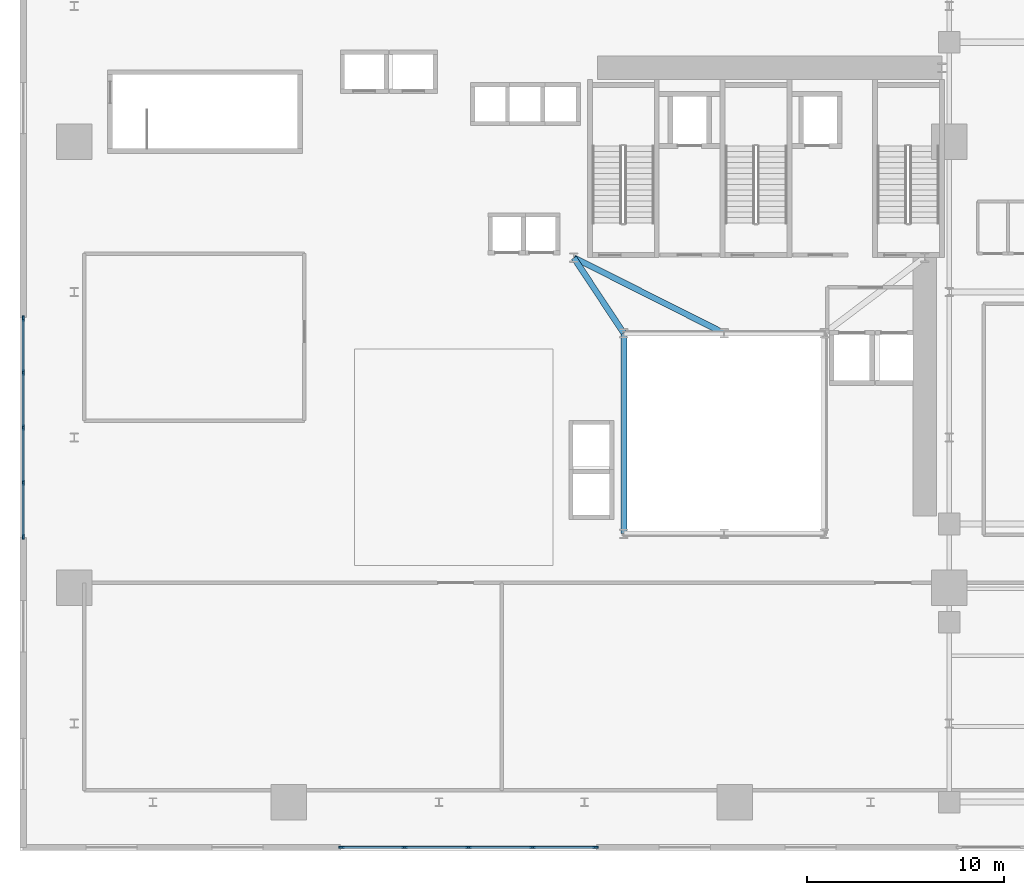
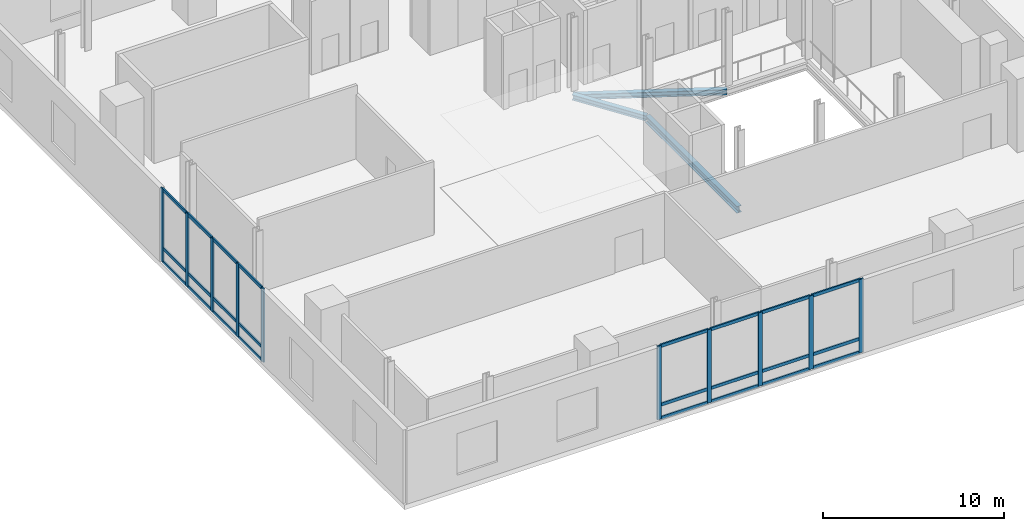
# One storey, part 3 of 13: 34 members, 3 beams, 2 elements without a shape of their own.
"""IFC4 building model written with IfcOpenShell, lengths in metres."""

from ifc_helpers import new_model, si_unit, direction, frame, origin, origin_2d, place, context, subcontext, project, spatial, rectangle, i_section, extrude, source, transform, mapped, material, material_profile, profile_set, type_object, element, aggregate, save


model = new_model("IFC4")

# Units and contexts
model_context = context("Model", 3, precision=1e-05, world=origin(), true_north=direction((0.0, 1.0)))
body_context = subcontext(model_context, "Body", "Model", "MODEL_VIEW")
ifc_project = project(units=[si_unit("LENGTHUNIT", "METRE"), si_unit("AREAUNIT", "SQUARE_METRE"), si_unit("VOLUMEUNIT", "CUBIC_METRE"), si_unit("PLANEANGLEUNIT", "RADIAN"), si_unit("MASSUNIT", "GRAM", prefix="KILO")], contexts=[model_context])

# Site, building, storey
site_placement = place(None, origin())
site = spatial("IfcSite", under=ifc_project, at=site_placement, CompositionType="ELEMENT")
building_placement = place(site_placement, origin())
building = spatial("IfcBuilding", under=site, at=building_placement, Name="Vardaveli Station Tower", CompositionType="ELEMENT")
storey_placement = place(building_placement, frame((0.0, 0.0, 22.39990234375)))
storey = spatial("IfcBuildingStorey", under=building, at=storey_placement, Name="L05", CompositionType="ELEMENT", Elevation=22.39990234375)

# Beams
ifc_material_1 = material(Name="Structural steel S355J2", Category="steel")
ifc_material_profile_1 = material_profile(ifc_material_1, i_section(OverallWidth=0.300048828125, OverallDepth=0.449951171875, WebThickness=0.013916015625, FlangeThickness=0.02587890625, FilletRadius=0.027099609375, at=origin_2d()), Name="HEB 450")
ifc_profile_set_1 = profile_set([ifc_material_profile_1], Name="Structural steel S355J2")
beam_type_1 = type_object("IfcBeamType", Name="BM-HEB450", PredefinedType="BEAM", material=ifc_profile_set_1)
shared_shape_1 = source(origin(), body_context, "Body", "SweptSolid", [
    extrude(i_section(OverallWidth=0.300048828125, OverallDepth=0.449951171875, WebThickness=0.013916015625, FlangeThickness=0.02587890625, FilletRadius=0.027099609375, at=origin_2d()), origin(), (0.0, 0.0, 1.0), 10.159912109375),
])
beam_1_placement = place(storey_placement, frame((31.199951171875, 26.780029296875, -0.544921875), z_axis=(0.0, -1.0, 0.0), x_axis=(1.0, 0.0, 0.0)))
element("IfcBeam", 1, at=beam_1_placement, inside=storey, type_object=beam_type_1, Name="ABM-L05-06", PredefinedType="BEAM", context=body_context, shape_type="MappedRepresentation", body=[
    mapped(shared_shape_1, transform((0.0, 0.0, 0.0), scale=1.0)),
])
ifc_material_profile_2 = material_profile(ifc_material_1, i_section(OverallWidth=0.300048828125, OverallDepth=0.360107421875, WebThickness=0.012451171875, FlangeThickness=0.0224609375, FilletRadius=0.027099609375, at=origin_2d()), Name="HEB 360")
ifc_profile_set_2 = profile_set([ifc_material_profile_2], Name="Structural steel S355J2")
beam_type_2 = type_object("IfcBeamType", Name="BM-HEB360", PredefinedType="BEAM", material=ifc_profile_set_2)
shared_shape_2 = source(origin(), body_context, "Body", "SweptSolid", [
    extrude(i_section(OverallWidth=0.300048828125, OverallDepth=0.360107421875, WebThickness=0.012451171875, FlangeThickness=0.0224609375, FilletRadius=0.027099609375, at=origin_2d()), origin(), (0.0, 0.0, 1.0), 4.577880859375),
])
beam_2_placement = place(storey_placement, frame((31.18896484375, 26.816650390625, -0.5), z_axis=(-0.55218702139, 0.833720272879, 0.0), x_axis=(-0.833720272879, -0.55218702139, 0.0)))
element("IfcBeam", 2, at=beam_2_placement, inside=storey, type_object=beam_type_2, Name="CBM-L05-01", PredefinedType="BEAM", context=body_context, shape_type="MappedRepresentation", body=[
    mapped(shared_shape_2, transform((0.0, 0.0, 0.0), scale=1.0)),
])
shared_shape_3 = source(origin(), body_context, "Body", "SweptSolid", [
    extrude(i_section(OverallWidth=0.300048828125, OverallDepth=0.360107421875, WebThickness=0.012451171875, FlangeThickness=0.0224609375, FilletRadius=0.027099609375, at=origin_2d()), origin(), (0.0, 0.0, 1.0), 8.524169921875),
])
beam_3_placement = place(storey_placement, frame((28.66796875, 30.64111328125, -0.5), z_axis=(0.893255584708, -0.449549174605, 0.0), x_axis=(0.449549174605, 0.893255584708, 0.0)))
element("IfcBeam", 3, at=beam_3_placement, inside=storey, type_object=beam_type_2, Name="CBM-L05-03", PredefinedType="BEAM", context=body_context, shape_type="MappedRepresentation", body=[
    mapped(shared_shape_3, transform((0.0, 0.0, 0.0), scale=1.0)),
])

# Curtain wall, members
ifc_material_2 = material(Name="Travertine stone and solar-control glass", Category="masonry")
curtain_wall_type = type_object("IfcCurtainWallType", Name="CW-SYS-1", PredefinedType="NOTDEFINED", material=ifc_material_2)
curtain_wall_1_placement = place(storey_placement, origin())
curtain_wall_1 = element("IfcCurtainWall", 4, at=curtain_wall_1_placement, inside=storey, type_object=curtain_wall_type, Name="CW-L05-S2", PredefinedType="NOTDEFINED")
ifc_material_3 = material(Name="Anodised aluminium alloy 6063-T6", Category="aluminium")
ifc_material_profile_3 = material_profile(ifc_material_3, rectangle(XDim=0.094970703125, YDim=0.2099609375, at=origin_2d()), Name="CWT 95x210")
ifc_profile_set_3 = profile_set([ifc_material_profile_3], Name="Anodised aluminium alloy 6063-T6")
member_type_1 = type_object("IfcMemberType", Name="CW-SYS-1-TRAN", PredefinedType="NOTDEFINED", material=ifc_profile_set_3)
shared_shape_4 = source(origin(), body_context, "Body", "SweptSolid", [
    extrude(rectangle(XDim=0.094970703125, YDim=0.2099609375, at=origin_2d()), origin(), (0.0, 0.0, 1.0), 3.107421875),
])
member_1_placement = place(storey_placement, frame((16.89501953125, 0.64990234375, 0.047607421875), z_axis=(1.0, 0.0, 0.0), x_axis=(0.0, 1.0, 0.0)))
member_1 = element("IfcMember", 5, at=member_1_placement, type_object=member_type_1, Name="CW-1 transom 1.1", ObjectType="TRANSOM", PredefinedType="USERDEFINED", context=body_context, shape_type="MappedRepresentation", body=[
    mapped(shared_shape_4, transform((0.0, 0.0, 0.0), scale=1.0)),
])
member_2_placement = place(storey_placement, frame((16.89501953125, 0.64990234375, 0.9501953125), z_axis=(1.0, 0.0, 0.0), x_axis=(0.0, 1.0, 0.0)))
member_2 = element("IfcMember", 6, at=member_2_placement, type_object=member_type_1, Name="CW-1 transom 1.2", ObjectType="TRANSOM", PredefinedType="USERDEFINED", context=body_context, shape_type="MappedRepresentation", body=[
    mapped(shared_shape_4, transform((0.0, 0.0, 0.0), scale=1.0)),
])
member_3_placement = place(storey_placement, frame((16.89501953125, 0.64990234375, 4.91259765625), z_axis=(1.0, 0.0, 0.0), x_axis=(0.0, 1.0, 0.0)))
member_3 = element("IfcMember", 7, at=member_3_placement, type_object=member_type_1, Name="CW-1 transom 1.3", ObjectType="TRANSOM", PredefinedType="USERDEFINED", context=body_context, shape_type="MappedRepresentation", body=[
    mapped(shared_shape_4, transform((0.0, 0.0, 0.0), scale=1.0)),
])
shared_shape_5 = source(origin(), body_context, "Body", "SweptSolid", [
    extrude(rectangle(XDim=0.094970703125, YDim=0.2099609375, at=origin_2d()), origin(), (0.0, 0.0, 1.0), 3.155029296875),
])
member_4_placement = place(storey_placement, frame((20.097412109375, 0.64990234375, 0.047607421875), z_axis=(1.0, 0.0, 0.0), x_axis=(0.0, 1.0, 0.0)))
member_4 = element("IfcMember", 8, at=member_4_placement, type_object=member_type_1, Name="CW-1 transom 2.1", ObjectType="TRANSOM", PredefinedType="USERDEFINED", context=body_context, shape_type="MappedRepresentation", body=[
    mapped(shared_shape_5, transform((0.0, 0.0, 0.0), scale=1.0)),
])
member_5_placement = place(storey_placement, frame((20.097412109375, 0.64990234375, 0.9501953125), z_axis=(1.0, 0.0, 0.0), x_axis=(0.0, 1.0, 0.0)))
member_5 = element("IfcMember", 9, at=member_5_placement, type_object=member_type_1, Name="CW-1 transom 2.2", ObjectType="TRANSOM", PredefinedType="USERDEFINED", context=body_context, shape_type="MappedRepresentation", body=[
    mapped(shared_shape_5, transform((0.0, 0.0, 0.0), scale=1.0)),
])
member_6_placement = place(storey_placement, frame((20.097412109375, 0.64990234375, 4.91259765625), z_axis=(1.0, 0.0, 0.0), x_axis=(0.0, 1.0, 0.0)))
member_6 = element("IfcMember", 10, at=member_6_placement, type_object=member_type_1, Name="CW-1 transom 2.3", ObjectType="TRANSOM", PredefinedType="USERDEFINED", context=body_context, shape_type="MappedRepresentation", body=[
    mapped(shared_shape_5, transform((0.0, 0.0, 0.0), scale=1.0)),
])
member_7_placement = place(storey_placement, frame((23.347412109375, 0.64990234375, 0.047607421875), z_axis=(1.0, 0.0, 0.0), x_axis=(0.0, 1.0, 0.0)))
member_7 = element("IfcMember", 11, at=member_7_placement, type_object=member_type_1, Name="CW-1 transom 3.1", ObjectType="TRANSOM", PredefinedType="USERDEFINED", context=body_context, shape_type="MappedRepresentation", body=[
    mapped(shared_shape_5, transform((0.0, 0.0, 0.0), scale=1.0)),
])
member_8_placement = place(storey_placement, frame((23.347412109375, 0.64990234375, 0.9501953125), z_axis=(1.0, 0.0, 0.0), x_axis=(0.0, 1.0, 0.0)))
member_8 = element("IfcMember", 12, at=member_8_placement, type_object=member_type_1, Name="CW-1 transom 3.2", ObjectType="TRANSOM", PredefinedType="USERDEFINED", context=body_context, shape_type="MappedRepresentation", body=[
    mapped(shared_shape_5, transform((0.0, 0.0, 0.0), scale=1.0)),
])
member_9_placement = place(storey_placement, frame((23.347412109375, 0.64990234375, 4.91259765625), z_axis=(1.0, 0.0, 0.0), x_axis=(0.0, 1.0, 0.0)))
member_9 = element("IfcMember", 13, at=member_9_placement, type_object=member_type_1, Name="CW-1 transom 3.3", ObjectType="TRANSOM", PredefinedType="USERDEFINED", context=body_context, shape_type="MappedRepresentation", body=[
    mapped(shared_shape_5, transform((0.0, 0.0, 0.0), scale=1.0)),
])
shared_shape_6 = source(origin(), body_context, "Body", "SweptSolid", [
    extrude(rectangle(XDim=0.094970703125, YDim=0.2099609375, at=origin_2d()), origin(), (0.0, 0.0, 1.0), 3.107666015625),
])
member_10_placement = place(storey_placement, frame((26.597412109375, 0.64990234375, 0.047607421875), z_axis=(1.0, 0.0, 0.0), x_axis=(0.0, 1.0, 0.0)))
member_10 = element("IfcMember", 14, at=member_10_placement, type_object=member_type_1, Name="CW-1 transom 4.1", ObjectType="TRANSOM", PredefinedType="USERDEFINED", context=body_context, shape_type="MappedRepresentation", body=[
    mapped(shared_shape_6, transform((0.0, 0.0, 0.0), scale=1.0)),
])
member_11_placement = place(storey_placement, frame((26.597412109375, 0.64990234375, 0.9501953125), z_axis=(1.0, 0.0, 0.0), x_axis=(0.0, 1.0, 0.0)))
member_11 = element("IfcMember", 15, at=member_11_placement, type_object=member_type_1, Name="CW-1 transom 4.2", ObjectType="TRANSOM", PredefinedType="USERDEFINED", context=body_context, shape_type="MappedRepresentation", body=[
    mapped(shared_shape_6, transform((0.0, 0.0, 0.0), scale=1.0)),
])
member_12_placement = place(storey_placement, frame((26.597412109375, 0.64990234375, 4.91259765625), z_axis=(1.0, 0.0, 0.0), x_axis=(0.0, 1.0, 0.0)))
member_12 = element("IfcMember", 16, at=member_12_placement, type_object=member_type_1, Name="CW-1 transom 4.3", ObjectType="TRANSOM", PredefinedType="USERDEFINED", context=body_context, shape_type="MappedRepresentation", body=[
    mapped(shared_shape_6, transform((0.0, 0.0, 0.0), scale=1.0)),
])

curtain_wall_2_placement = place(storey_placement, origin())
curtain_wall_2 = element("IfcCurtainWall", 17, at=curtain_wall_2_placement, inside=storey, type_object=curtain_wall_type, Name="CW-L05-W2", PredefinedType="NOTDEFINED")
shared_shape_7 = source(origin(), body_context, "Body", "SweptSolid", [
    extrude(rectangle(XDim=0.094970703125, YDim=0.2099609375, at=origin_2d()), origin(), (0.0, 0.0, 1.0), 2.657470703125),
])
member_13_placement = place(storey_placement, frame((0.64990234375, 27.5048828125, 0.047607421875), z_axis=(0.0, -1.0, 0.0), x_axis=(1.0, 0.0, 0.0)))
member_13 = element("IfcMember", 18, at=member_13_placement, type_object=member_type_1, Name="CW-1 transom 1.1", ObjectType="TRANSOM", PredefinedType="USERDEFINED", context=body_context, shape_type="MappedRepresentation", body=[
    mapped(shared_shape_7, transform((0.0, 0.0, 0.0), scale=1.0)),
])
member_14_placement = place(storey_placement, frame((0.64990234375, 27.5048828125, 0.9501953125), z_axis=(0.0, -1.0, 0.0), x_axis=(1.0, 0.0, 0.0)))
member_14 = element("IfcMember", 19, at=member_14_placement, type_object=member_type_1, Name="CW-1 transom 1.2", ObjectType="TRANSOM", PredefinedType="USERDEFINED", context=body_context, shape_type="MappedRepresentation", body=[
    mapped(shared_shape_7, transform((0.0, 0.0, 0.0), scale=1.0)),
])
member_15_placement = place(storey_placement, frame((0.64990234375, 27.5048828125, 4.91259765625), z_axis=(0.0, -1.0, 0.0), x_axis=(1.0, 0.0, 0.0)))
member_15 = element("IfcMember", 20, at=member_15_placement, type_object=member_type_1, Name="CW-1 transom 1.3", ObjectType="TRANSOM", PredefinedType="USERDEFINED", context=body_context, shape_type="MappedRepresentation", body=[
    mapped(shared_shape_7, transform((0.0, 0.0, 0.0), scale=1.0)),
])
member_16_placement = place(storey_placement, frame((0.64990234375, 19.152587890625, 0.047607421875), z_axis=(0.0, -1.0, 0.0), x_axis=(1.0, 0.0, 0.0)))
member_16 = element("IfcMember", 21, at=member_16_placement, type_object=member_type_1, Name="CW-1 transom 4.1", ObjectType="TRANSOM", PredefinedType="USERDEFINED", context=body_context, shape_type="MappedRepresentation", body=[
    mapped(shared_shape_7, transform((0.0, 0.0, 0.0), scale=1.0)),
])
member_17_placement = place(storey_placement, frame((0.64990234375, 19.152587890625, 0.9501953125), z_axis=(0.0, -1.0, 0.0), x_axis=(1.0, 0.0, 0.0)))
member_17 = element("IfcMember", 22, at=member_17_placement, type_object=member_type_1, Name="CW-1 transom 4.2", ObjectType="TRANSOM", PredefinedType="USERDEFINED", context=body_context, shape_type="MappedRepresentation", body=[
    mapped(shared_shape_7, transform((0.0, 0.0, 0.0), scale=1.0)),
])
member_18_placement = place(storey_placement, frame((0.64990234375, 19.152587890625, 4.91259765625), z_axis=(0.0, -1.0, 0.0), x_axis=(1.0, 0.0, 0.0)))
member_18 = element("IfcMember", 23, at=member_18_placement, type_object=member_type_1, Name="CW-1 transom 4.3", ObjectType="TRANSOM", PredefinedType="USERDEFINED", context=body_context, shape_type="MappedRepresentation", body=[
    mapped(shared_shape_7, transform((0.0, 0.0, 0.0), scale=1.0)),
])
shared_shape_8 = source(origin(), body_context, "Body", "SweptSolid", [
    extrude(rectangle(XDim=0.094970703125, YDim=0.2099609375, at=origin_2d()), origin(), (0.0, 0.0, 1.0), 2.704833984375),
])
member_19_placement = place(storey_placement, frame((0.64990234375, 24.75244140625, 0.047607421875), z_axis=(0.0, -1.0, 0.0), x_axis=(1.0, 0.0, 0.0)))
member_19 = element("IfcMember", 24, at=member_19_placement, type_object=member_type_1, Name="CW-1 transom 2.1", ObjectType="TRANSOM", PredefinedType="USERDEFINED", context=body_context, shape_type="MappedRepresentation", body=[
    mapped(shared_shape_8, transform((0.0, 0.0, 0.0), scale=1.0)),
])
member_20_placement = place(storey_placement, frame((0.64990234375, 24.75244140625, 0.9501953125), z_axis=(0.0, -1.0, 0.0), x_axis=(1.0, 0.0, 0.0)))
member_20 = element("IfcMember", 25, at=member_20_placement, type_object=member_type_1, Name="CW-1 transom 2.2", ObjectType="TRANSOM", PredefinedType="USERDEFINED", context=body_context, shape_type="MappedRepresentation", body=[
    mapped(shared_shape_8, transform((0.0, 0.0, 0.0), scale=1.0)),
])
member_21_placement = place(storey_placement, frame((0.64990234375, 24.75244140625, 4.91259765625), z_axis=(0.0, -1.0, 0.0), x_axis=(1.0, 0.0, 0.0)))
member_21 = element("IfcMember", 26, at=member_21_placement, type_object=member_type_1, Name="CW-1 transom 2.3", ObjectType="TRANSOM", PredefinedType="USERDEFINED", context=body_context, shape_type="MappedRepresentation", body=[
    mapped(shared_shape_8, transform((0.0, 0.0, 0.0), scale=1.0)),
])
member_22_placement = place(storey_placement, frame((0.64990234375, 21.952392578125, 0.047607421875), z_axis=(0.0, -1.0, 0.0), x_axis=(1.0, 0.0, 0.0)))
member_22 = element("IfcMember", 27, at=member_22_placement, type_object=member_type_1, Name="CW-1 transom 3.1", ObjectType="TRANSOM", PredefinedType="USERDEFINED", context=body_context, shape_type="MappedRepresentation", body=[
    mapped(shared_shape_8, transform((0.0, 0.0, 0.0), scale=1.0)),
])
member_23_placement = place(storey_placement, frame((0.64990234375, 21.952392578125, 0.9501953125), z_axis=(0.0, -1.0, 0.0), x_axis=(1.0, 0.0, 0.0)))
member_23 = element("IfcMember", 28, at=member_23_placement, type_object=member_type_1, Name="CW-1 transom 3.2", ObjectType="TRANSOM", PredefinedType="USERDEFINED", context=body_context, shape_type="MappedRepresentation", body=[
    mapped(shared_shape_8, transform((0.0, 0.0, 0.0), scale=1.0)),
])
member_24_placement = place(storey_placement, frame((0.64990234375, 21.952392578125, 4.91259765625), z_axis=(0.0, -1.0, 0.0), x_axis=(1.0, 0.0, 0.0)))
member_24 = element("IfcMember", 29, at=member_24_placement, type_object=member_type_1, Name="CW-1 transom 3.3", ObjectType="TRANSOM", PredefinedType="USERDEFINED", context=body_context, shape_type="MappedRepresentation", body=[
    mapped(shared_shape_8, transform((0.0, 0.0, 0.0), scale=1.0)),
])

# Member
ifc_material_profile_4 = material_profile(ifc_material_3, rectangle(XDim=0.094970703125, YDim=0.27001953125, at=origin_2d()), Name="CWM 95x270")
ifc_profile_set_4 = profile_set([ifc_material_profile_4], Name="Anodised aluminium alloy 6063-T6")
member_type_2 = type_object("IfcMemberType", Name="CW-SYS-1-MULL", PredefinedType="MULLION", material=ifc_profile_set_4)
shared_shape_9 = source(origin(), body_context, "Body", "SweptSolid", [
    extrude(rectangle(XDim=0.094970703125, YDim=0.27001953125, at=origin_2d()), origin(), (0.0, 0.0, 1.0), 4.960205078125),
])
member_25_placement = place(storey_placement, frame((16.847412109375, 0.64990234375, 0.0), z_axis=(0.0, 0.0, 1.0), x_axis=(0.0, 1.0, 0.0)))
member_25 = element("IfcMember", 30, at=member_25_placement, type_object=member_type_2, Name="CW-1 mullion 1", PredefinedType="MULLION", context=body_context, shape_type="MappedRepresentation", body=[
    mapped(shared_shape_9, transform((0.0, 0.0, 0.0), scale=1.0)),
])

member_26_placement = place(storey_placement, frame((20.050048828125, 0.64990234375, 0.0), z_axis=(0.0, 0.0, 1.0), x_axis=(0.0, 1.0, 0.0)))
member_26 = element("IfcMember", 31, at=member_26_placement, type_object=member_type_2, Name="CW-1 mullion 2", PredefinedType="MULLION", context=body_context, shape_type="MappedRepresentation", body=[
    mapped(shared_shape_9, transform((0.0, 0.0, 0.0), scale=1.0)),
])

member_27_placement = place(storey_placement, frame((23.300048828125, 0.64990234375, 0.0), z_axis=(0.0, 0.0, 1.0), x_axis=(0.0, 1.0, 0.0)))
member_27 = element("IfcMember", 32, at=member_27_placement, type_object=member_type_2, Name="CW-1 mullion 3", PredefinedType="MULLION", context=body_context, shape_type="MappedRepresentation", body=[
    mapped(shared_shape_9, transform((0.0, 0.0, 0.0), scale=1.0)),
])

member_28_placement = place(storey_placement, frame((26.550048828125, 0.64990234375, 0.0), z_axis=(0.0, 0.0, 1.0), x_axis=(0.0, 1.0, 0.0)))
member_28 = element("IfcMember", 33, at=member_28_placement, type_object=member_type_2, Name="CW-1 mullion 4", PredefinedType="MULLION", context=body_context, shape_type="MappedRepresentation", body=[
    mapped(shared_shape_9, transform((0.0, 0.0, 0.0), scale=1.0)),
])

member_29_placement = place(storey_placement, frame((29.75244140625, 0.64990234375, 0.0), z_axis=(0.0, 0.0, 1.0), x_axis=(0.0, 1.0, 0.0)))
member_29 = element("IfcMember", 34, at=member_29_placement, type_object=member_type_2, Name="CW-1 mullion 5", PredefinedType="MULLION", context=body_context, shape_type="MappedRepresentation", body=[
    mapped(shared_shape_9, transform((0.0, 0.0, 0.0), scale=1.0)),
])

aggregate(curtain_wall_1, [member_25, member_26, member_27, member_28, member_29, member_1, member_2, member_3, member_4, member_5, member_6, member_7, member_8, member_9, member_10, member_11, member_12])

member_30_placement = place(storey_placement, frame((0.64990234375, 27.552490234375, 0.0), z_axis=(0.0, 0.0, 1.0), x_axis=(1.0, 0.0, 0.0)))
member_30 = element("IfcMember", 35, at=member_30_placement, type_object=member_type_2, Name="CW-1 mullion 1", PredefinedType="MULLION", context=body_context, shape_type="MappedRepresentation", body=[
    mapped(shared_shape_9, transform((0.0, 0.0, 0.0), scale=1.0)),
])

member_31_placement = place(storey_placement, frame((0.64990234375, 24.800048828125, 0.0), z_axis=(0.0, 0.0, 1.0), x_axis=(1.0, 0.0, 0.0)))
member_31 = element("IfcMember", 36, at=member_31_placement, type_object=member_type_2, Name="CW-1 mullion 2", PredefinedType="MULLION", context=body_context, shape_type="MappedRepresentation", body=[
    mapped(shared_shape_9, transform((0.0, 0.0, 0.0), scale=1.0)),
])

member_32_placement = place(storey_placement, frame((0.64990234375, 22.0, 0.0), z_axis=(0.0, 0.0, 1.0), x_axis=(1.0, 0.0, 0.0)))
member_32 = element("IfcMember", 37, at=member_32_placement, type_object=member_type_2, Name="CW-1 mullion 3", PredefinedType="MULLION", context=body_context, shape_type="MappedRepresentation", body=[
    mapped(shared_shape_9, transform((0.0, 0.0, 0.0), scale=1.0)),
])

member_33_placement = place(storey_placement, frame((0.64990234375, 19.199951171875, 0.0), z_axis=(0.0, 0.0, 1.0), x_axis=(1.0, 0.0, 0.0)))
member_33 = element("IfcMember", 38, at=member_33_placement, type_object=member_type_2, Name="CW-1 mullion 4", PredefinedType="MULLION", context=body_context, shape_type="MappedRepresentation", body=[
    mapped(shared_shape_9, transform((0.0, 0.0, 0.0), scale=1.0)),
])

member_34_placement = place(storey_placement, frame((0.64990234375, 16.447509765625, 0.0), z_axis=(0.0, 0.0, 1.0), x_axis=(1.0, 0.0, 0.0)))
member_34 = element("IfcMember", 39, at=member_34_placement, type_object=member_type_2, Name="CW-1 mullion 5", PredefinedType="MULLION", context=body_context, shape_type="MappedRepresentation", body=[
    mapped(shared_shape_9, transform((0.0, 0.0, 0.0), scale=1.0)),
])

aggregate(curtain_wall_2, [member_30, member_31, member_32, member_33, member_34, member_13, member_14, member_15, member_19, member_20, member_21, member_22, member_23, member_24, member_16, member_17, member_18])

save(model, "model.ifc")
